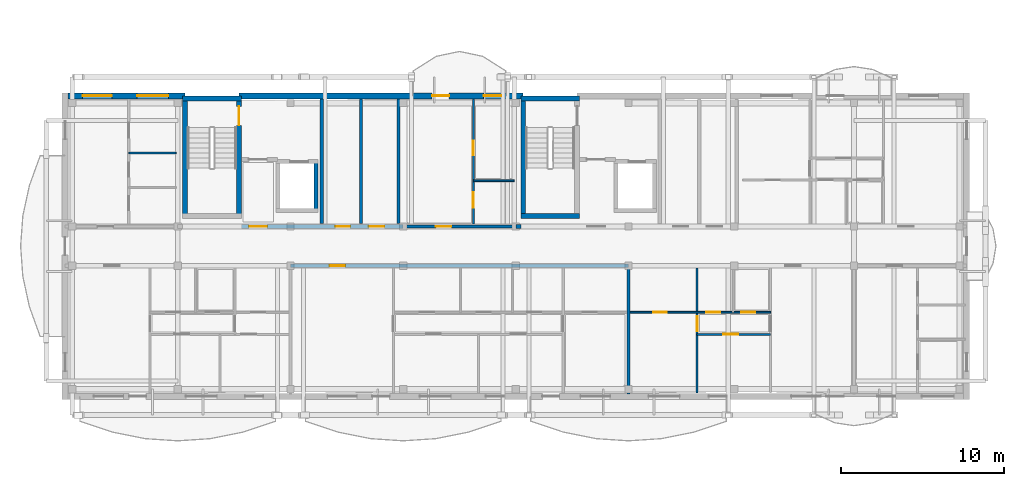
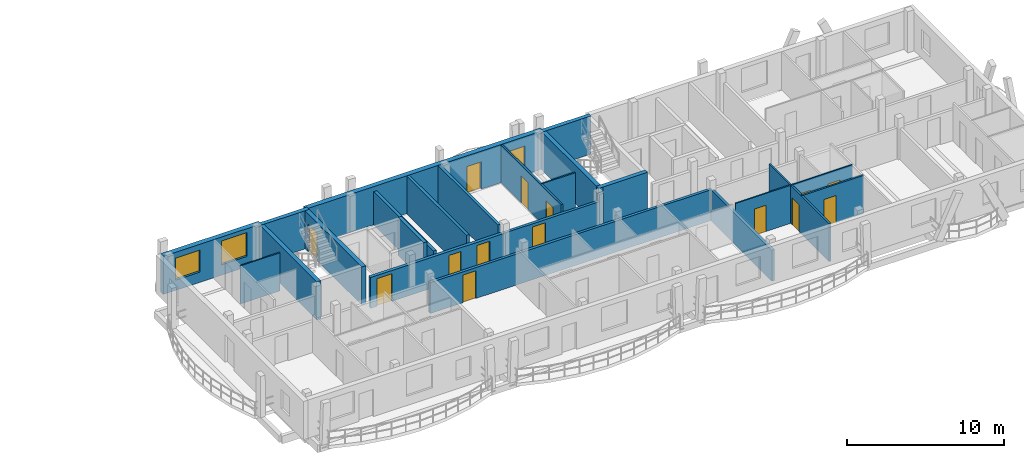
# One storey, part 15 of 41: 23 walls, 14 doors, 3 windows, 17 openings.
"""IFC4 building model written with IfcOpenShell, lengths in metres."""

from ifc_helpers import new_model, si_unit, direction, frame, frame_2d, origin, origin_with_axes, place, context, subcontext, project, spatial, rectangle, extrude, material, layer, layer_set, type_object, element, fill, save


model = new_model("IFC4")

# Units and contexts
model_context = context("Model", 3, precision=1e-05, world=origin(), true_north=direction((0.0, 1.0)))
body_context = subcontext(model_context, "Body", "Model", "MODEL_VIEW")
ifc_project = project(units=[si_unit("LENGTHUNIT", "METRE"), si_unit("AREAUNIT", "SQUARE_METRE"), si_unit("VOLUMEUNIT", "CUBIC_METRE"), si_unit("PLANEANGLEUNIT", "RADIAN"), si_unit("MASSUNIT", "GRAM", prefix="KILO")], contexts=[model_context])

# Site, building, storey
site_placement = place(None, origin())
site = spatial("IfcSite", under=ifc_project, at=site_placement, CompositionType="ELEMENT")
building_placement = place(site_placement, origin())
building = spatial("IfcBuilding", under=site, at=building_placement, Name="Zavelmont Quarter", CompositionType="ELEMENT")
storey_placement = place(building_placement, frame((0.0, 0.0, 27.199951171875)))
storey = spatial("IfcBuildingStorey", under=building, at=storey_placement, Name="L08", CompositionType="ELEMENT", Elevation=27.199951171875)

# Wall, openings, windows
ifc_material_1 = material(Name="Natural Belgian limestone", Category="masonry")
ifc_layer_1 = layer(ifc_material_1, 0.360107421875)
ifc_layer_set_1 = layer_set([ifc_layer_1], Name="Natural Belgian limestone")
wall_type_1 = type_object("IfcWallType", Name="EW02", PredefinedType="STANDARD", material=ifc_layer_set_1)
wall_1_placement = place(storey_placement, frame((0.169921875, 18.39990234375, 0.0), z_axis=(0.0, 0.0, 1.0), x_axis=(1.0, 0.0, 0.0)))
wall_1 = element("IfcWall", 1, at=wall_1_placement, inside=storey, type_object=wall_type_1, Name="L08 exterior limestone wall EW02", PredefinedType="STANDARD", context=body_context, shape_type="SweptSolid", body=[
    extrude(rectangle(XDim=7.18017578125, YDim=0.360107421875, at=frame_2d((3.590087890625, 0.0))), origin(), (0.0, 0.0, 1.0), 2.9599609375),
])
opening_1_placement = place(wall_1_placement, frame((0.89990234375, 0.0, 0.800048828125)))
opening_1 = element("IfcOpeningElement", 2, at=opening_1_placement, cuts=wall_1, Name="Opening WN02", PredefinedType="OPENING", context=body_context, shape_type="SweptSolid", body=[
    extrude(rectangle(XDim=1.800048828125, YDim=1.699951171875, at=frame_2d((0.89990234375, 0.85009765625))), frame((0.0, 0.19189453125, 0.0), z_axis=(0.0, -1.0, 0.0), x_axis=(1.0, 0.0, 0.0)), (0.0, 0.0, 1.0), 0.384033203125),
])
opening_2_placement = place(wall_1_placement, frame((4.25, 0.0, 0.800048828125)))
opening_2 = element("IfcOpeningElement", 3, at=opening_2_placement, cuts=wall_1, Name="Opening WN20", PredefinedType="OPENING", context=body_context, shape_type="SweptSolid", body=[
    extrude(rectangle(XDim=1.89990234375, YDim=1.85009765625, at=frame_2d((0.949951171875, 0.925048828125))), frame((0.0, 0.19189453125, 0.0), z_axis=(0.0, -1.0, 0.0), x_axis=(1.0, 0.0, 0.0)), (0.0, 0.0, 1.0), 0.384033203125),
])
ifc_material_2 = material(Name="Double low-E insulated glazing in thermally broken aluminium frame", Category="aluminium")
window_type_1 = type_object("IfcWindowType", Name="WN02", PartitioningType="SINGLE_PANEL", PredefinedType="WINDOW", material=ifc_material_2)
window_1_placement = place(opening_1_placement, origin_with_axes())
window_1 = element("IfcWindow", 4, at=window_1_placement, inside=storey, type_object=window_type_1, Name="L08 window WN02", OverallHeight=1.699951171875, OverallWidth=1.800048828125, PartitioningType="SINGLE_PANEL", PredefinedType="WINDOW", context=body_context, shape_type="SweptSolid", body=[
    extrude(rectangle(XDim=1.800048828125, YDim=1.699951171875, at=frame_2d((0.89990234375, 0.85009765625))), frame((0.0, 0.030029296875, 0.0), z_axis=(0.0, -1.0, 0.0), x_axis=(1.0, 0.0, 0.0)), (0.0, 0.0, 1.0), 0.06005859375),
])
fill(opening_1, window_1)
window_type_2 = type_object("IfcWindowType", Name="WN20", PartitioningType="SINGLE_PANEL", PredefinedType="WINDOW", material=ifc_material_2)
window_2_placement = place(opening_2_placement, origin_with_axes())
window_2 = element("IfcWindow", 5, at=window_2_placement, inside=storey, type_object=window_type_2, Name="L08 window WN20", OverallHeight=1.85009765625, OverallWidth=1.89990234375, PartitioningType="SINGLE_PANEL", PredefinedType="WINDOW", context=body_context, shape_type="SweptSolid", body=[
    extrude(rectangle(XDim=1.89990234375, YDim=1.85009765625, at=frame_2d((0.949951171875, 0.925048828125))), frame((0.0, 0.030029296875, 0.0), z_axis=(0.0, -1.0, 0.0), x_axis=(1.0, 0.0, 0.0)), (0.0, 0.0, 1.0), 0.06005859375),
])
fill(opening_2, window_2)

# Wall, openings, door, window
wall_2_placement = place(storey_placement, frame((10.64990234375, 18.39990234375, 0.0), z_axis=(0.0, 0.0, 1.0), x_axis=(1.0, 0.0, 0.0)))
wall_2 = element("IfcWall", 6, at=wall_2_placement, inside=storey, type_object=wall_type_1, Name="L08 exterior limestone wall EW02", PredefinedType="STANDARD", context=body_context, shape_type="SweptSolid", body=[
    extrude(rectangle(XDim=17.400146484375, YDim=0.360107421875, at=frame_2d((8.7001953125, 0.0))), origin(), (0.0, 0.0, 1.0), 2.9599609375),
])
opening_3_placement = place(wall_2_placement, frame((11.820068359375, 0.0, 0.0)))
opening_3 = element("IfcOpeningElement", 7, at=opening_3_placement, cuts=wall_2, Name="Opening DR04A", PredefinedType="OPENING", context=body_context, shape_type="SweptSolid", body=[
    extrude(rectangle(XDim=1.050048828125, YDim=2.1201171875, at=frame_2d((0.52490234375, 1.06005859375))), frame((0.0, 0.19189453125, 0.0), z_axis=(0.0, -1.0, 0.0), x_axis=(1.0, 0.0, 0.0)), (0.0, 0.0, 1.0), 0.384033203125),
])
opening_4_placement = place(wall_2_placement, frame((14.969970703125, 0.0, 0.719970703125)))
opening_4 = element("IfcOpeningElement", 8, at=opening_4_placement, cuts=wall_2, Name="Opening WN09", PredefinedType="OPENING", context=body_context, shape_type="SweptSolid", body=[
    extrude(rectangle(XDim=1.10009765625, YDim=1.5, at=frame_2d((0.550048828125, 0.75))), frame((0.0, 0.19189453125, 0.0), z_axis=(0.0, -1.0, 0.0), x_axis=(1.0, 0.0, 0.0)), (0.0, 0.0, 1.0), 0.384033203125),
])
ifc_material_3 = material(Name="Thermally broken aluminium and double safety glass", Category="aluminium")
door_type_1 = type_object("IfcDoorType", Name="DR04A", OperationType="NOTDEFINED", PredefinedType="DOOR", material=ifc_material_3)
door_1_placement = place(opening_3_placement, frame((1.050048828125, 0.0, 0.0), z_axis=(0.0, 0.0, 1.0), x_axis=(-1.0, 0.0, 0.0)))
door_1 = element("IfcDoor", 9, at=door_1_placement, inside=storey, type_object=door_type_1, Name="Block A L08 glazed balcony door", OperationType="SINGLE_SWING_LEFT", OverallHeight=2.1201171875, OverallWidth=1.050048828125, PredefinedType="DOOR", context=body_context, shape_type="SweptSolid", body=[
    extrude(rectangle(XDim=1.050048828125, YDim=2.1201171875, at=frame_2d((0.52490234375, 1.06005859375))), frame((0.0, 0.02490234375, 0.0), z_axis=(0.0, -1.0, 0.0), x_axis=(1.0, 0.0, 0.0)), (0.0, 0.0, 1.0), 0.050048828125),
])
fill(opening_3, door_1)
window_type_3 = type_object("IfcWindowType", Name="WN09", PartitioningType="SINGLE_PANEL", PredefinedType="WINDOW", material=ifc_material_2)
window_3_placement = place(opening_4_placement, origin_with_axes())
window_3 = element("IfcWindow", 10, at=window_3_placement, inside=storey, type_object=window_type_3, Name="L08 window WN09", OverallHeight=1.5, OverallWidth=1.10009765625, PartitioningType="SINGLE_PANEL", PredefinedType="WINDOW", context=body_context, shape_type="SweptSolid", body=[
    extrude(rectangle(XDim=1.10009765625, YDim=1.5, at=frame_2d((0.550048828125, 0.75))), frame((0.0, 0.030029296875, 0.0), z_axis=(0.0, -1.0, 0.0), x_axis=(1.0, 0.0, 0.0)), (0.0, 0.0, 1.0), 0.06005859375),
])
fill(opening_4, window_3)

# Walls
ifc_material_4 = material(Name="Calcium-silicate blockwork and acoustic plaster", Category="masonry")
ifc_layer_2 = layer(ifc_material_4, 0.199951171875)
ifc_layer_set_2 = layer_set([ifc_layer_2], Name="Calcium-silicate blockwork and acoustic plaster")
wall_type_2 = type_object("IfcWallType", Name="IW01", PredefinedType="PARTITIONING", material=ifc_layer_set_2)
for number, where, z_axis, x_axis, name in (
    (11, (18.125, 10.60009765625, 0.0), (0.0, 0.0, 1.0), (0.0, 1.0, 0.0), "L08 Service riser divider wall IW01"),
    (12, (20.419921875, 10.60009765625, 0.0), (0.0, 0.0, 1.0), (0.0, 1.0, 0.0), "L08 Core service end wall IW01"),
):
    element("IfcWall", number, at=place(storey_placement, frame(where, z_axis=z_axis, x_axis=x_axis)), inside=storey, type_object=wall_type_2, Name=name, PredefinedType="PARTITIONING", context=body_context, shape_type="SweptSolid", body=[
        extrude(rectangle(XDim=7.599853515625, YDim=0.199951171875, at=frame_2d((3.7998046875, 0.0))), origin(), (0.0, 0.0, 1.0), 2.9599609375),
    ])
wall_3_placement = place(storey_placement, frame((34.5, 7.85009765625, 0.0), z_axis=(0.0, 0.0, 1.0), x_axis=(0.0, -1.0, 0.0)))
element("IfcWall", 13, at=wall_3_placement, inside=storey, type_object=wall_type_2, Name="L08 Inter-dwelling compartment wall IW01", PredefinedType="PARTITIONING", context=body_context, shape_type="SweptSolid", body=[
    extrude(rectangle(XDim=7.7001953125, YDim=0.199951171875, at=frame_2d((3.85009765625, 0.0))), origin(), (0.0, 0.0, 1.0), 2.400146484375),
])

# Wall, opening, door
wall_4_placement = place(storey_placement, frame((13.800048828125, 8.0, 0.0), z_axis=(0.0, 0.0, 1.0), x_axis=(1.0, 0.0, 0.0)))
wall_4 = element("IfcWall", 14, at=wall_4_placement, inside=storey, type_object=wall_type_2, Name="L08 Corridor compartment wall IW01", PredefinedType="PARTITIONING", context=body_context, shape_type="SweptSolid", body=[
    extrude(rectangle(XDim=20.699951171875, YDim=0.199951171875, at=frame_2d((10.35009765625, 0.0))), origin(), (0.0, 0.0, 1.0), 2.400146484375),
])
opening_5_placement = place(wall_4_placement, frame((2.39990234375, 0.0, 0.0)))
opening_5 = element("IfcOpeningElement", 15, at=opening_5_placement, cuts=wall_4, Name="Opening DR02", PredefinedType="OPENING", context=body_context, shape_type="SweptSolid", body=[
    extrude(rectangle(XDim=0.949951171875, YDim=2.14990234375, at=frame_2d((0.47509765625, 1.074951171875))), frame((0.0, 0.11181640625, 0.0), z_axis=(0.0, -1.0, 0.0), x_axis=(1.0, 0.0, 0.0)), (0.0, 0.0, 1.0), 0.223876953125),
])
ifc_material_5 = material(Name="Solid-core oak fire leaf in steel frame", Category="steel")
door_type_2 = type_object("IfcDoorType", Name="DR02", OperationType="NOTDEFINED", PredefinedType="DOOR", material=ifc_material_5)
door_2_placement = place(opening_5_placement, frame((0.949951171875, 0.0, 0.0), z_axis=(0.0, 0.0, 1.0), x_axis=(-1.0, 0.0, 0.0)))
door_2 = element("IfcDoor", 16, at=door_2_placement, inside=storey, type_object=door_type_2, Name="L08 door DR02", OperationType="SINGLE_SWING_LEFT", OverallHeight=2.14990234375, OverallWidth=0.949951171875, PredefinedType="DOOR", context=body_context, shape_type="SweptSolid", body=[
    extrude(rectangle(XDim=0.949951171875, YDim=2.14990234375, at=frame_2d((0.47509765625, 1.074951171875))), frame((0.0, 0.02490234375, 0.0), z_axis=(0.0, -1.0, 0.0), x_axis=(1.0, 0.0, 0.0)), (0.0, 0.0, 1.0), 0.050048828125),
])
fill(opening_5, door_2)

wall_5_placement = place(storey_placement, frame((20.699951171875, 10.39990234375, 0.0), z_axis=(0.0, 0.0, 1.0), x_axis=(1.0, 0.0, 0.0)))
wall_5 = element("IfcWall", 17, at=wall_5_placement, inside=storey, type_object=wall_type_2, Name="L08 Corridor compartment wall IW01", PredefinedType="PARTITIONING", context=body_context, shape_type="SweptSolid", body=[
    extrude(rectangle(XDim=6.900146484375, YDim=0.199951171875, at=frame_2d((3.4501953125, 0.0))), origin(), (0.0, 0.0, 1.0), 2.400146484375),
])
opening_6_placement = place(wall_5_placement, frame((2.0, 0.0, 0.0)))
opening_6 = element("IfcOpeningElement", 18, at=opening_6_placement, cuts=wall_5, Name="Opening DR02", PredefinedType="OPENING", context=body_context, shape_type="SweptSolid", body=[
    extrude(rectangle(XDim=0.949951171875, YDim=2.14990234375, at=frame_2d((0.47509765625, 1.074951171875))), frame((0.0, 0.11181640625, 0.0), z_axis=(0.0, -1.0, 0.0), x_axis=(1.0, 0.0, 0.0)), (0.0, 0.0, 1.0), 0.223876953125),
])
door_3_placement = place(opening_6_placement, origin_with_axes())
door_3 = element("IfcDoor", 19, at=door_3_placement, inside=storey, type_object=door_type_2, Name="L08 door DR02", OperationType="SINGLE_SWING_RIGHT", OverallHeight=2.14990234375, OverallWidth=0.949951171875, PredefinedType="DOOR", context=body_context, shape_type="SweptSolid", body=[
    extrude(rectangle(XDim=0.949951171875, YDim=2.14990234375, at=frame_2d((0.47509765625, 1.074951171875))), frame((0.0, 0.02490234375, 0.0), z_axis=(0.0, -1.0, 0.0), x_axis=(1.0, 0.0, 0.0)), (0.0, 0.0, 1.0), 0.050048828125),
])
fill(opening_6, door_3)

# Wall
ifc_material_6 = material(Name="Reinforced masonry fire compartment wall", Category="masonry")
ifc_layer_3 = layer(ifc_material_6, 0.22509765625)
ifc_layer_set_3 = layer_set([ifc_layer_3], Name="Reinforced masonry fire compartment wall")
wall_type_3 = type_object("IfcWallType", Name="IW02", PredefinedType="PARTITIONING", material=ifc_layer_set_3)
wall_6_placement = place(storey_placement, frame((15.7099609375, 10.60009765625, 0.0), z_axis=(0.0, 0.0, 1.0), x_axis=(0.0, 1.0, 0.0)))
element("IfcWall", 20, at=wall_6_placement, inside=storey, type_object=wall_type_3, Name="L08 Firefighting lobby enclosure wall IW02", PredefinedType="PARTITIONING", context=body_context, shape_type="SweptSolid", body=[
    extrude(rectangle(XDim=7.599853515625, YDim=0.22509765625, at=frame_2d((3.7998046875, 0.0))), origin(), (0.0, 0.0, 1.0), 2.590087890625),
])

# Wall, openings, doors
wall_7_placement = place(storey_placement, frame((10.800048828125, 10.39990234375, 0.0), z_axis=(0.0, 0.0, 1.0), x_axis=(1.0, 0.0, 0.0)))
wall_7 = element("IfcWall", 21, at=wall_7_placement, inside=storey, type_object=wall_type_3, Name="L08 Core corridor fire wall IW02", PredefinedType="PARTITIONING", context=body_context, shape_type="SweptSolid", body=[
    extrude(rectangle(XDim=9.89990234375, YDim=0.22509765625, at=frame_2d((4.949951171875, 0.0))), origin(), (0.0, 0.0, 1.0), 2.400146484375),
])
opening_7_placement = place(wall_7_placement, frame((0.47509765625, 0.0, 0.0)))
opening_7 = element("IfcOpeningElement", 22, at=opening_7_placement, cuts=wall_7, Name="Opening DR10", PredefinedType="OPENING", context=body_context, shape_type="SweptSolid", body=[
    extrude(rectangle(XDim=1.10009765625, YDim=2.14990234375, at=frame_2d((0.550048828125, 1.074951171875))), frame((0.0, 0.12451171875, 0.0), z_axis=(0.0, -1.0, 0.0), x_axis=(1.0, 0.0, 0.0)), (0.0, 0.0, 1.0), 0.2490234375),
])
opening_8_placement = place(wall_7_placement, frame((5.75, 0.0, 0.0)))
opening_8 = element("IfcOpeningElement", 23, at=opening_8_placement, cuts=wall_7, Name="Opening DR11", PredefinedType="OPENING", context=body_context, shape_type="SweptSolid", body=[
    extrude(rectangle(XDim=0.89990234375, YDim=2.10009765625, at=frame_2d((0.449951171875, 1.050048828125))), frame((0.0, 0.12451171875, 0.0), z_axis=(0.0, -1.0, 0.0), x_axis=(1.0, 0.0, 0.0)), (0.0, 0.0, 1.0), 0.2490234375),
])
opening_9_placement = place(wall_7_placement, frame((7.800048828125, 0.0, 0.0)))
opening_9 = element("IfcOpeningElement", 24, at=opening_9_placement, cuts=wall_7, Name="Opening DR02", PredefinedType="OPENING", context=body_context, shape_type="SweptSolid", body=[
    extrude(rectangle(XDim=0.949951171875, YDim=2.14990234375, at=frame_2d((0.47509765625, 1.074951171875))), frame((0.0, 0.12451171875, 0.0), z_axis=(0.0, -1.0, 0.0), x_axis=(1.0, 0.0, 0.0)), (0.0, 0.0, 1.0), 0.2490234375),
])
door_4_placement = place(opening_9_placement, frame((0.949951171875, 0.0, 0.0), z_axis=(0.0, 0.0, 1.0), x_axis=(-1.0, 0.0, 0.0)))
door_4 = element("IfcDoor", 25, at=door_4_placement, inside=storey, type_object=door_type_2, Name="Auxiliary store corridor door", OperationType="SINGLE_SWING_RIGHT", OverallHeight=2.14990234375, OverallWidth=0.949951171875, PredefinedType="DOOR", context=body_context, shape_type="SweptSolid", body=[
    extrude(rectangle(XDim=0.949951171875, YDim=2.14990234375, at=frame_2d((0.47509765625, 1.074951171875))), frame((0.0, 0.02490234375, 0.0), z_axis=(0.0, -1.0, 0.0), x_axis=(1.0, 0.0, 0.0)), (0.0, 0.0, 1.0), 0.050048828125),
])
fill(opening_9, door_4)
ifc_material_7 = material(Name="Painted steel lobby fire door", Category="steel")
door_type_3 = type_object("IfcDoorType", Name="DR10", OperationType="NOTDEFINED", PredefinedType="DOOR", material=ifc_material_7)
door_5_placement = place(opening_7_placement, origin_with_axes())
door_5 = element("IfcDoor", 26, at=door_5_placement, inside=storey, type_object=door_type_3, Name="Core vestibule fire door", OperationType="SINGLE_SWING_LEFT", OverallHeight=2.14990234375, OverallWidth=1.10009765625, PredefinedType="DOOR", context=body_context, shape_type="SweptSolid", body=[
    extrude(rectangle(XDim=1.10009765625, YDim=2.14990234375, at=frame_2d((0.550048828125, 1.074951171875))), frame((0.0, 0.02490234375, 0.0), z_axis=(0.0, -1.0, 0.0), x_axis=(1.0, 0.0, 0.0)), (0.0, 0.0, 1.0), 0.050048828125),
])
fill(opening_7, door_5)
ifc_material_8 = material(Name="Painted steel service-riser fire door", Category="steel")
door_type_4 = type_object("IfcDoorType", Name="DR11", OperationType="NOTDEFINED", PredefinedType="DOOR", material=ifc_material_8)
door_6_placement = place(opening_8_placement, frame((0.89990234375, 0.0, 0.0), z_axis=(0.0, 0.0, 1.0), x_axis=(-1.0, 0.0, 0.0)))
door_6 = element("IfcDoor", 27, at=door_6_placement, inside=storey, type_object=door_type_4, Name="Service riser fire door", OperationType="SINGLE_SWING_LEFT", OverallHeight=2.10009765625, OverallWidth=0.89990234375, PredefinedType="DOOR", context=body_context, shape_type="SweptSolid", body=[
    extrude(rectangle(XDim=0.89990234375, YDim=2.10009765625, at=frame_2d((0.449951171875, 1.050048828125))), frame((0.0, 0.02490234375, 0.0), z_axis=(0.0, -1.0, 0.0), x_axis=(1.0, 0.0, 0.0)), (0.0, 0.0, 1.0), 0.050048828125),
])
fill(opening_8, door_6)

# Wall
wall_8_placement = place(storey_placement, frame((27.60009765625, 10.39990234375, 0.0), z_axis=(0.0, 0.0, 1.0), x_axis=(1.0, 0.0, 0.0)))
element("IfcWall", 28, at=wall_8_placement, inside=storey, type_object=wall_type_3, Name="L08 Core corridor wall IW02", PredefinedType="PARTITIONING", context=body_context, shape_type="SweptSolid", body=[
    extrude(rectangle(XDim=0.2998046875, YDim=0.22509765625, at=frame_2d((0.14990234375, 0.0))), origin(), (0.0, 0.0, 1.0), 2.9599609375),
])

# Wall, opening, door
ifc_material_9 = material(Name="Double gypsum board on acoustic steel stud", Category="steel")
ifc_layer_4 = layer(ifc_material_9, 0.125)
ifc_layer_set_4 = layer_set([ifc_layer_4], Name="Double gypsum board on acoustic steel stud")
wall_type_4 = type_object("IfcWallType", Name="IW03", PredefinedType="PARTITIONING", material=ifc_layer_set_4)
wall_9_placement = place(storey_placement, frame((38.699951171875, 7.85009765625, 0.0), z_axis=(0.0, 0.0, 1.0), x_axis=(0.0, -1.0, 0.0)))
wall_9 = element("IfcWall", 29, at=wall_9_placement, inside=storey, type_object=wall_type_4, Name="L08 Partition IW03", PredefinedType="PARTITIONING", context=body_context, shape_type="SweptSolid", body=[
    extrude(rectangle(XDim=7.650146484375, YDim=0.125, at=frame_2d((3.8251953125, 0.0))), origin(), (0.0, 0.0, 1.0), 2.9599609375),
])
opening_10_placement = place(wall_9_placement, frame((2.949951171875, 0.0, 0.0)))
opening_10 = element("IfcOpeningElement", 30, at=opening_10_placement, cuts=wall_9, Name="Opening DR05", PredefinedType="OPENING", context=body_context, shape_type="SweptSolid", body=[
    extrude(rectangle(XDim=0.89990234375, YDim=2.10009765625, at=frame_2d((0.449951171875, 1.050048828125))), frame((0.0, 0.074462890625, 0.0), z_axis=(0.0, -1.0, 0.0), x_axis=(1.0, 0.0, 0.0)), (0.0, 0.0, 1.0), 0.14892578125),
])
ifc_material_10 = material(Name="Engineered oak flush interior door")
door_type_5 = type_object("IfcDoorType", Name="DR05", OperationType="NOTDEFINED", PredefinedType="DOOR", material=ifc_material_10)
door_7_placement = place(opening_10_placement, frame((0.89990234375, 0.0, 0.0), z_axis=(0.0, 0.0, 1.0), x_axis=(-1.0, 0.0, 0.0)))
door_7 = element("IfcDoor", 31, at=door_7_placement, inside=storey, type_object=door_type_5, Name="L08 door DR05", OperationType="SINGLE_SWING_RIGHT", OverallHeight=2.10009765625, OverallWidth=0.89990234375, PredefinedType="DOOR", context=body_context, shape_type="SweptSolid", body=[
    extrude(rectangle(XDim=0.89990234375, YDim=2.10009765625, at=frame_2d((0.449951171875, 1.050048828125))), frame((0.0, 0.02490234375, 0.0), z_axis=(0.0, -1.0, 0.0), x_axis=(1.0, 0.0, 0.0)), (0.0, 0.0, 1.0), 0.050048828125),
])
fill(opening_10, door_7)

wall_10_placement = place(storey_placement, frame((38.699951171875, 3.800048828125, 0.0), z_axis=(0.0, 0.0, 1.0), x_axis=(1.0, 0.0, 0.0)))
wall_10 = element("IfcWall", 32, at=wall_10_placement, inside=storey, type_object=wall_type_4, Name="L08 Partition IW03", PredefinedType="PARTITIONING", context=body_context, shape_type="SweptSolid", body=[
    extrude(rectangle(XDim=4.5, YDim=0.125, at=frame_2d((2.25, 0.0))), origin(), (0.0, 0.0, 1.0), 2.9599609375),
])
opening_11_placement = place(wall_10_placement, frame((1.60009765625, 0.0, 0.0)))
opening_11 = element("IfcOpeningElement", 33, at=opening_11_placement, cuts=wall_10, Name="Opening DR05", PredefinedType="OPENING", context=body_context, shape_type="SweptSolid", body=[
    extrude(rectangle(XDim=0.89990234375, YDim=2.10009765625, at=frame_2d((0.449951171875, 1.050048828125))), frame((0.0, 0.074462890625, 0.0), z_axis=(0.0, -1.0, 0.0), x_axis=(1.0, 0.0, 0.0)), (0.0, 0.0, 1.0), 0.14892578125),
])
door_8_placement = place(opening_11_placement, frame((0.89990234375, 0.0, 0.0), z_axis=(0.0, 0.0, 1.0), x_axis=(-1.0, 0.0, 0.0)))
door_8 = element("IfcDoor", 34, at=door_8_placement, inside=storey, type_object=door_type_5, Name="L08 door DR05", OperationType="SINGLE_SWING_RIGHT", OverallHeight=2.10009765625, OverallWidth=0.89990234375, PredefinedType="DOOR", context=body_context, shape_type="SweptSolid", body=[
    extrude(rectangle(XDim=0.89990234375, YDim=2.10009765625, at=frame_2d((0.449951171875, 1.050048828125))), frame((0.0, 0.02490234375, 0.0), z_axis=(0.0, -1.0, 0.0), x_axis=(1.0, 0.0, 0.0)), (0.0, 0.0, 1.0), 0.050048828125),
])
fill(opening_11, door_8)

# Wall, openings, doors
wall_11_placement = place(storey_placement, frame((25.0, 10.550048828125, 0.0), z_axis=(0.0, 0.0, 1.0), x_axis=(0.0, 1.0, 0.0)))
wall_11 = element("IfcWall", 35, at=wall_11_placement, inside=storey, type_object=wall_type_4, Name="L08 Partition IW03", PredefinedType="PARTITIONING", context=body_context, shape_type="SweptSolid", body=[
    extrude(rectangle(XDim=7.64990234375, YDim=0.125, at=frame_2d((3.824951171875, 0.0))), origin(), (0.0, 0.0, 1.0), 2.9599609375),
])
opening_12_placement = place(wall_11_placement, frame((1.0, 0.0, 0.0)))
opening_12 = element("IfcOpeningElement", 36, at=opening_12_placement, cuts=wall_11, Name="Opening DR17", PredefinedType="OPENING", context=body_context, shape_type="SweptSolid", body=[
    extrude(rectangle(XDim=0.949951171875, YDim=2.10009765625, at=frame_2d((0.47509765625, 1.050048828125))), frame((0.0, 0.074462890625, 0.0), z_axis=(0.0, -1.0, 0.0), x_axis=(1.0, 0.0, 0.0)), (0.0, 0.0, 1.0), 0.14892578125),
])
opening_13_placement = place(wall_11_placement, frame((4.199951171875, 0.0, 0.0)))
opening_13 = element("IfcOpeningElement", 37, at=opening_13_placement, cuts=wall_11, Name="Opening DR05", PredefinedType="OPENING", context=body_context, shape_type="SweptSolid", body=[
    extrude(rectangle(XDim=0.89990234375, YDim=2.10009765625, at=frame_2d((0.449951171875, 1.050048828125))), frame((0.0, 0.074462890625, 0.0), z_axis=(0.0, -1.0, 0.0), x_axis=(1.0, 0.0, 0.0)), (0.0, 0.0, 1.0), 0.14892578125),
])
door_9_placement = place(opening_13_placement, origin_with_axes())
door_9 = element("IfcDoor", 38, at=door_9_placement, inside=storey, type_object=door_type_5, Name="L08 door DR05", OperationType="SINGLE_SWING_LEFT", OverallHeight=2.10009765625, OverallWidth=0.89990234375, PredefinedType="DOOR", context=body_context, shape_type="SweptSolid", body=[
    extrude(rectangle(XDim=0.89990234375, YDim=2.10009765625, at=frame_2d((0.449951171875, 1.050048828125))), frame((0.0, 0.02490234375, 0.0), z_axis=(0.0, -1.0, 0.0), x_axis=(1.0, 0.0, 0.0)), (0.0, 0.0, 1.0), 0.050048828125),
])
fill(opening_13, door_9)
ifc_material_11 = material(Name="Accessible washroom flush door")
door_type_6 = type_object("IfcDoorType", Name="DR17", OperationType="NOTDEFINED", PredefinedType="DOOR", material=ifc_material_11)
door_10_placement = place(opening_12_placement, frame((0.949951171875, 0.0, 0.0), z_axis=(0.0, 0.0, 1.0), x_axis=(-1.0, 0.0, 0.0)))
door_10 = element("IfcDoor", 39, at=door_10_placement, inside=storey, type_object=door_type_6, Name="L08 door DR17", OperationType="SINGLE_SWING_RIGHT", OverallHeight=2.10009765625, OverallWidth=0.949951171875, PredefinedType="DOOR", context=body_context, shape_type="SweptSolid", body=[
    extrude(rectangle(XDim=0.949951171875, YDim=2.10009765625, at=frame_2d((0.47509765625, 1.050048828125))), frame((0.0, 0.02490234375, 0.0), z_axis=(0.0, -1.0, 0.0), x_axis=(1.0, 0.0, 0.0)), (0.0, 0.0, 1.0), 0.050048828125),
])
fill(opening_12, door_10)

ifc_material_12 = material(Name="Moisture-resistant gypsum board on steel stud", Category="steel")
ifc_layer_5 = layer(ifc_material_12, 0.10009765625)
ifc_layer_set_5 = layer_set([ifc_layer_5], Name="Moisture-resistant gypsum board on steel stud")
wall_type_5 = type_object("IfcWallType", Name="IW04", PredefinedType="PARTITIONING", material=ifc_layer_set_5)
wall_12_placement = place(storey_placement, frame((34.60009765625, 5.14990234375, 0.0), z_axis=(0.0, 0.0, 1.0), x_axis=(1.0, 0.0, 0.0)))
wall_12 = element("IfcWall", 40, at=wall_12_placement, inside=storey, type_object=wall_type_5, Name="L08 Partition IW04", PredefinedType="PARTITIONING", context=body_context, shape_type="SweptSolid", body=[
    extrude(rectangle(XDim=8.599853515625, YDim=0.10009765625, at=frame_2d((4.2998046875, 0.0))), origin(), (0.0, 0.0, 1.0), 2.9599609375),
])
opening_14_placement = place(wall_12_placement, frame((1.39990234375, 0.0, 0.0)))
opening_14 = element("IfcOpeningElement", 41, at=opening_14_placement, cuts=wall_12, Name="Opening DR06", PredefinedType="OPENING", context=body_context, shape_type="SweptSolid", body=[
    extrude(rectangle(XDim=0.85009765625, YDim=2.050048828125, at=frame_2d((0.425048828125, 1.02490234375))), frame((0.0, 0.06201171875, 0.0), z_axis=(0.0, -1.0, 0.0), x_axis=(1.0, 0.0, 0.0)), (0.0, 0.0, 1.0), 0.1240234375),
])
opening_15_placement = place(wall_12_placement, frame((4.64990234375, 0.0, 0.0)))
opening_15 = element("IfcOpeningElement", 42, at=opening_15_placement, cuts=wall_12, Name="Opening DR06", PredefinedType="OPENING", context=body_context, shape_type="SweptSolid", body=[
    extrude(rectangle(XDim=0.85009765625, YDim=2.050048828125, at=frame_2d((0.425048828125, 1.02490234375))), frame((0.0, 0.06201171875, 0.0), z_axis=(0.0, -1.0, 0.0), x_axis=(1.0, 0.0, 0.0)), (0.0, 0.0, 1.0), 0.1240234375),
])
opening_16_placement = place(wall_12_placement, frame((6.800048828125, 0.0, 0.0)))
opening_16 = element("IfcOpeningElement", 43, at=opening_16_placement, cuts=wall_12, Name="Opening DR16", PredefinedType="OPENING", context=body_context, shape_type="SweptSolid", body=[
    extrude(rectangle(XDim=0.85009765625, YDim=2.10009765625, at=frame_2d((0.425048828125, 1.050048828125))), frame((0.0, 0.06201171875, 0.0), z_axis=(0.0, -1.0, 0.0), x_axis=(1.0, 0.0, 0.0)), (0.0, 0.0, 1.0), 0.1240234375),
])
ifc_material_13 = material(Name="Moisture-resistant painted wet-room door")
door_type_7 = type_object("IfcDoorType", Name="DR06", OperationType="NOTDEFINED", PredefinedType="DOOR", material=ifc_material_13)
door_11_placement = place(opening_14_placement, origin_with_axes())
door_11 = element("IfcDoor", 44, at=door_11_placement, inside=storey, type_object=door_type_7, Name="L08 door DR06", OperationType="SINGLE_SWING_LEFT", OverallHeight=2.050048828125, OverallWidth=0.85009765625, PredefinedType="DOOR", context=body_context, shape_type="SweptSolid", body=[
    extrude(rectangle(XDim=0.85009765625, YDim=2.050048828125, at=frame_2d((0.425048828125, 1.02490234375))), frame((0.0, 0.02490234375, 0.0), z_axis=(0.0, -1.0, 0.0), x_axis=(1.0, 0.0, 0.0)), (0.0, 0.0, 1.0), 0.050048828125),
])
fill(opening_14, door_11)
door_12_placement = place(opening_15_placement, frame((0.85009765625, 0.0, 0.0), z_axis=(0.0, 0.0, 1.0), x_axis=(-1.0, 0.0, 0.0)))
door_12 = element("IfcDoor", 45, at=door_12_placement, inside=storey, type_object=door_type_7, Name="L08 door DR06", OperationType="SINGLE_SWING_RIGHT", OverallHeight=2.050048828125, OverallWidth=0.85009765625, PredefinedType="DOOR", context=body_context, shape_type="SweptSolid", body=[
    extrude(rectangle(XDim=0.85009765625, YDim=2.050048828125, at=frame_2d((0.425048828125, 1.02490234375))), frame((0.0, 0.02490234375, 0.0), z_axis=(0.0, -1.0, 0.0), x_axis=(1.0, 0.0, 0.0)), (0.0, 0.0, 1.0), 0.050048828125),
])
fill(opening_15, door_12)
door_type_8 = type_object("IfcDoorType", Name="DR16", OperationType="NOTDEFINED", PredefinedType="DOOR", material=ifc_material_10)
door_13_placement = place(opening_16_placement, origin_with_axes())
door_13 = element("IfcDoor", 46, at=door_13_placement, inside=storey, type_object=door_type_8, Name="L08 door DR16", OperationType="SINGLE_SWING_LEFT", OverallHeight=2.10009765625, OverallWidth=0.85009765625, PredefinedType="DOOR", context=body_context, shape_type="SweptSolid", body=[
    extrude(rectangle(XDim=0.85009765625, YDim=2.10009765625, at=frame_2d((0.425048828125, 1.050048828125))), frame((0.0, 0.02490234375, 0.0), z_axis=(0.0, -1.0, 0.0), x_axis=(1.0, 0.0, 0.0)), (0.0, 0.0, 1.0), 0.050048828125),
])
fill(opening_16, door_13)

# Walls
wall_13_placement = place(storey_placement, frame((3.89990234375, 14.89990234375, 0.0), z_axis=(0.0, 0.0, 1.0), x_axis=(1.0, 0.0, 0.0)))
element("IfcWall", 47, at=wall_13_placement, inside=storey, type_object=wall_type_5, Name="L08 Partition IW04", PredefinedType="PARTITIONING", context=body_context, shape_type="SweptSolid", body=[
    extrude(rectangle(XDim=2.900146484375, YDim=0.10009765625, at=frame_2d((1.4501953125, 0.0))), origin(), (0.0, 0.0, 1.0), 2.9599609375),
])
wall_14_placement = place(storey_placement, frame((25.0, 13.199951171875, 0.0), z_axis=(0.0, 0.0, 1.0), x_axis=(1.0, 0.0, 0.0)))
element("IfcWall", 48, at=wall_14_placement, inside=storey, type_object=wall_type_5, Name="L08 Partition IW04", PredefinedType="PARTITIONING", context=body_context, shape_type="SweptSolid", body=[
    extrude(rectangle(XDim=2.5, YDim=0.10009765625, at=frame_2d((1.25, 0.0))), origin(), (0.0, 0.0, 1.0), 2.9599609375),
])
ifc_material_14 = material(Name="Concrete C40/50", Category="concrete")
ifc_layer_6 = layer(ifc_material_14, 0.300048828125)
ifc_layer_set_6 = layer_set([ifc_layer_6], Name="Concrete C40/50")
wall_type_6 = type_object("IfcWallType", Name="SW01", PredefinedType="SHEAR", material=ifc_layer_set_6)
wall_15_placement = place(storey_placement, frame((7.35009765625, 10.89990234375, 0.0), z_axis=(0.0, 0.0, 1.0), x_axis=(0.0, 1.0, 0.0)))
element("IfcWall", 49, at=wall_15_placement, inside=storey, type_object=wall_type_6, Name="L08 ST01 west shear wall SW01", PredefinedType="SHEAR", context=body_context, shape_type="SweptSolid", body=[
    extrude(rectangle(XDim=7.5, YDim=0.300048828125, at=frame_2d((3.75, 0.0))), origin(), (0.0, 0.0, 1.0), 2.9599609375),
])

# Wall, opening, door
wall_16_placement = place(storey_placement, frame((10.64990234375, 10.89990234375, 0.0), z_axis=(0.0, 0.0, 1.0), x_axis=(0.0, 1.0, 0.0)))
wall_16 = element("IfcWall", 50, at=wall_16_placement, inside=storey, type_object=wall_type_6, Name="L08 ST01 lobby shear wall SW01", PredefinedType="SHEAR", context=body_context, shape_type="SweptSolid", body=[
    extrude(rectangle(XDim=7.5, YDim=0.300048828125, at=frame_2d((3.75, 0.0))), origin(), (0.0, 0.0, 1.0), 2.9599609375),
])
opening_17_placement = place(wall_16_placement, frame((5.699951171875, 0.0, 0.0)))
opening_17 = element("IfcOpeningElement", 51, at=opening_17_placement, cuts=wall_16, Name="Opening DR09", PredefinedType="OPENING", context=body_context, shape_type="SweptSolid", body=[
    extrude(rectangle(XDim=1.14990234375, YDim=2.14990234375, at=frame_2d((0.574951171875, 1.074951171875))), frame((0.0, 0.162109375, 0.0), z_axis=(0.0, -1.0, 0.0), x_axis=(1.0, 0.0, 0.0)), (0.0, 0.0, 1.0), 0.323974609375),
])
ifc_material_15 = material(Name="Painted steel stair-core fire door", Category="steel")
door_type_9 = type_object("IfcDoorType", Name="DR09", OperationType="NOTDEFINED", PredefinedType="DOOR", material=ifc_material_15)
door_14_placement = place(opening_17_placement, origin_with_axes())
door_14 = element("IfcDoor", 52, at=door_14_placement, inside=storey, type_object=door_type_9, Name="ST01 protected stair door", OperationType="SINGLE_SWING_LEFT", OverallHeight=2.14990234375, OverallWidth=1.14990234375, PredefinedType="DOOR", context=body_context, shape_type="SweptSolid", body=[
    extrude(rectangle(XDim=1.14990234375, YDim=2.14990234375, at=frame_2d((0.574951171875, 1.074951171875))), frame((0.0, 0.02490234375, 0.0), z_axis=(0.0, -1.0, 0.0), x_axis=(1.0, 0.0, 0.0)), (0.0, 0.0, 1.0), 0.050048828125),
])
fill(opening_17, door_14)

# Walls
wall_17_placement = place(storey_placement, frame((27.89990234375, 11.050048828125, 0.0), z_axis=(0.0, 0.0, 1.0), x_axis=(1.0, 0.0, 0.0)))
element("IfcWall", 53, at=wall_17_placement, inside=storey, type_object=wall_type_6, Name="L08 ST02 corridor shear wall SW01", PredefinedType="SHEAR", context=body_context, shape_type="SweptSolid", body=[
    extrude(rectangle(XDim=3.60009765625, YDim=0.300048828125, at=frame_2d((1.800048828125, 0.0))), origin(), (0.0, 0.0, 1.0), 2.9599609375),
])
wall_18_placement = place(storey_placement, frame((28.050048828125, 10.89990234375, 0.0), z_axis=(0.0, 0.0, 1.0), x_axis=(0.0, 1.0, 0.0)))
element("IfcWall", 54, at=wall_18_placement, inside=storey, type_object=wall_type_6, Name="L08 ST02 west shear wall SW01", PredefinedType="SHEAR", context=body_context, shape_type="SweptSolid", body=[
    extrude(rectangle(XDim=7.5, YDim=0.300048828125, at=frame_2d((3.75, 0.0))), origin(), (0.0, 0.0, 1.0), 2.9599609375),
])
ifc_layer_7 = layer(ifc_material_14, 0.25)
ifc_layer_set_7 = layer_set([ifc_layer_7], Name="Concrete C40/50")
wall_type_7 = type_object("IfcWallType", Name="SW02", PredefinedType="SHEAR", material=ifc_layer_set_7)
wall_19_placement = place(storey_placement, frame((15.375, 11.25, 0.0), z_axis=(0.0, 0.0, 1.0), x_axis=(0.0, 1.0, 0.0)))
element("IfcWall", 55, at=wall_19_placement, inside=storey, type_object=wall_type_7, Name="L08 Lift FL01 east shaft wall SW02", PredefinedType="SHEAR", context=body_context, shape_type="SweptSolid", body=[
    extrude(rectangle(XDim=3.25, YDim=0.25, at=frame_2d((1.625, 0.0))), origin(), (0.0, 0.0, 1.0), 2.9599609375),
])
ifc_layer_8 = layer(ifc_material_14, 0.300048828125)
ifc_layer_set_8 = layer_set([ifc_layer_8], Name="Concrete C40/50")
wall_type_8 = type_object("IfcWallType", Name="SW03", PredefinedType="SHEAR", material=ifc_layer_set_8)
for number, where, z_axis, x_axis, name in (
    (56, (7.199951171875, 18.25, 0.0), (0.0, 0.0, 1.0), (1.0, 0.0, 0.0), "L08 ST01 outer shear wall SW03"),
    (57, (27.89990234375, 18.25, 0.0), (0.0, 0.0, 1.0), (1.0, 0.0, 0.0), "L08 ST02 outer shear wall SW03"),
):
    element("IfcWall", number, at=place(storey_placement, frame(where, z_axis=z_axis, x_axis=x_axis)), inside=storey, type_object=wall_type_8, Name=name, PredefinedType="SHEAR", context=body_context, shape_type="SweptSolid", body=[
        extrude(rectangle(XDim=3.60009765625, YDim=0.300048828125, at=frame_2d((1.800048828125, 0.0))), origin(), (0.0, 0.0, 1.0), 2.9599609375),
    ])

save(model, "model.ifc")
